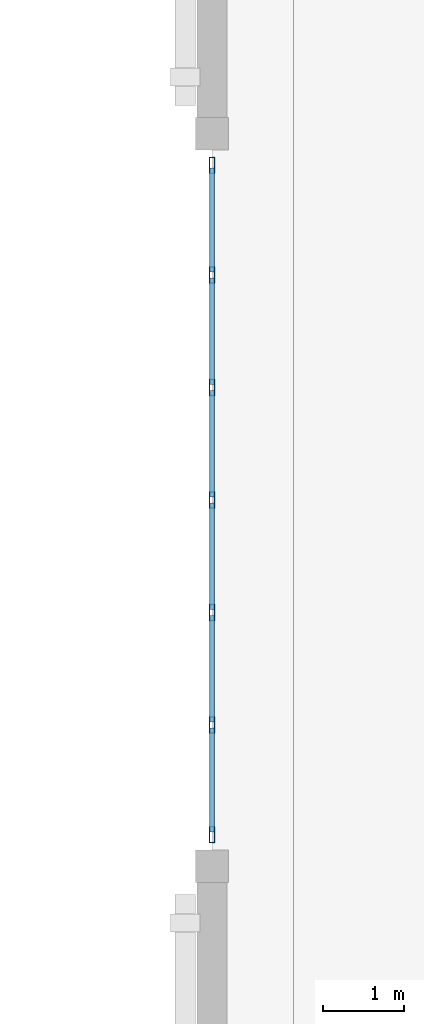
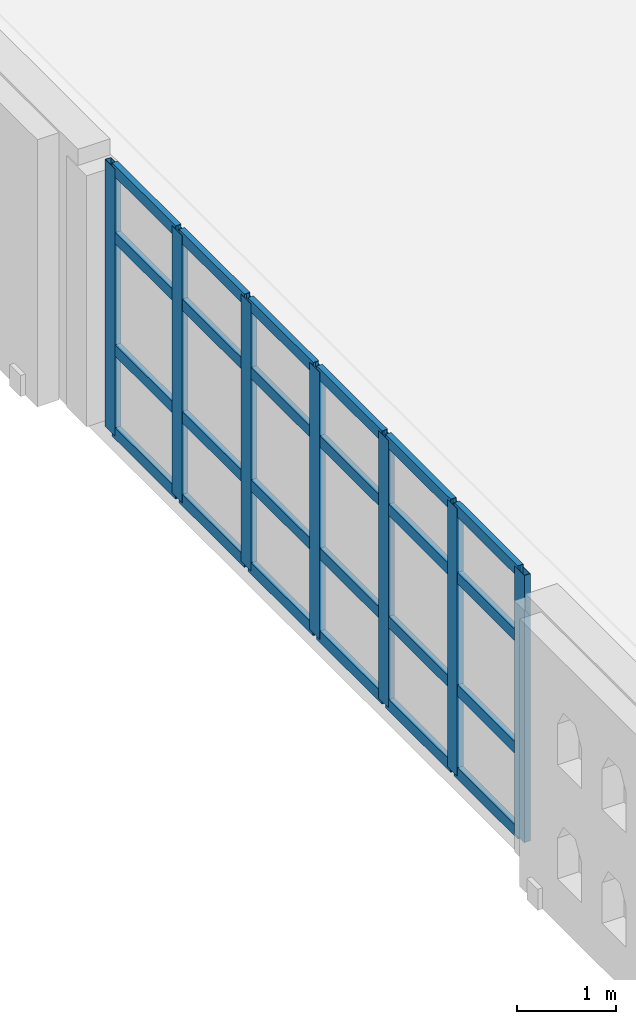
# One storey, part 7 of 30: 31 members, 1 element without a shape of its own.
"""IFC4 building model written with IfcOpenShell, lengths in metres."""

from ifc_helpers import new_model, si_unit, direction, frame, origin, origin_2d, place, context, subcontext, project, spatial, hollow_rectangle, extrude, material, layer, layer_set, material_profile, profile_set, type_object, element, aggregate, save


model = new_model("IFC4")

# Units and contexts
model_context = context("Model", 3, precision=1e-05, world=origin(), true_north=direction((0.0, 1.0)))
body_context = subcontext(model_context, "Body", "Model", "MODEL_VIEW")
ifc_project = project(units=[si_unit("LENGTHUNIT", "METRE"), si_unit("AREAUNIT", "SQUARE_METRE"), si_unit("VOLUMEUNIT", "CUBIC_METRE"), si_unit("PLANEANGLEUNIT", "RADIAN"), si_unit("MASSUNIT", "GRAM", prefix="KILO")], contexts=[model_context])

# Site, building, storey
site_placement = place(None, origin())
site = spatial("IfcSite", under=ifc_project, at=site_placement, CompositionType="ELEMENT")
building_placement = place(site_placement, origin())
building = spatial("IfcBuilding", under=site, at=building_placement, Name="Ornek Quay Market", CompositionType="ELEMENT")
storey_placement = place(building_placement, frame((0.0, 0.0, 12.0)))
storey = spatial("IfcBuildingStorey", under=building, at=storey_placement, Name="L03", CompositionType="ELEMENT", Elevation=12.0)

# Curtain wall, members
ifc_material_1 = material(Name="Anodised bronze aluminium and triple low-e glass", Category="aluminium")
ifc_layer = layer(ifc_material_1, 0.18994140625, Name="Anodised bronze aluminium and triple low-e glass", Category="aluminium")
ifc_layer_set = layer_set([ifc_layer], Name="Anodised bronze aluminium and triple low-e glass")
curtain_wall_type = type_object("IfcCurtainWallType", Name="CW-FC-MOD1500", PredefinedType="USERDEFINED", material=ifc_layer_set)
curtain_wall_placement = place(storey_placement, origin())
curtain_wall = element("IfcCurtainWall", 1, at=curtain_wall_placement, inside=storey, type_object=curtain_wall_type, Name="Curtain wall CW-095", ObjectType="CURTAIN WALL", PredefinedType="USERDEFINED")
ifc_material_2 = material(Name="Anodised aluminium 6063-T6", Category="aluminium")
ifc_material_profile_1 = material_profile(ifc_material_2, hollow_rectangle(XDim=0.070068359375, YDim=0.199951171875, WallThickness=0.0048828125, at=origin_2d()), Name="CW-MUL-70x200", Category="aluminium")
ifc_profile_set_1 = profile_set([ifc_material_profile_1], Name="Anodised aluminium 6063-T6")
member_type_1 = type_object("IfcMemberType", Name="CW-MUL-70x200", PredefinedType="MULLION", material=ifc_profile_set_1)
member_1_placement = place(storey_placement, frame((153.0, 47.385009765625, 0.0), z_axis=(0.0, 0.0, 1.0), x_axis=(-1.0, 0.0, 0.0)))
member_1 = element("IfcMember", 2, at=member_1_placement, type_object=member_type_1, Name="CW-095 mullion 1", PredefinedType="MULLION", context=body_context, shape_type="SweptSolid", body=[
    extrude(hollow_rectangle(XDim=0.070068359375, YDim=0.199951171875, WallThickness=0.0048828125, at=origin_2d()), origin(), (0.0, 0.0, 1.0), 3.280029296875),
])
member_2_placement = place(storey_placement, frame((153.0, 48.7333984375, 0.0), z_axis=(0.0, 0.0, 1.0), x_axis=(-1.0, 0.0, 0.0)))
member_2 = element("IfcMember", 3, at=member_2_placement, type_object=member_type_1, Name="CW-095 mullion 2", PredefinedType="MULLION", context=body_context, shape_type="SweptSolid", body=[
    extrude(hollow_rectangle(XDim=0.070068359375, YDim=0.199951171875, WallThickness=0.0048828125, at=origin_2d()), origin(), (0.0, 0.0, 1.0), 3.280029296875),
])
member_3_placement = place(storey_placement, frame((153.0, 50.11669921875, 0.0), z_axis=(0.0, 0.0, 1.0), x_axis=(-1.0, 0.0, 0.0)))
member_3 = element("IfcMember", 4, at=member_3_placement, type_object=member_type_1, Name="CW-095 mullion 3", PredefinedType="MULLION", context=body_context, shape_type="SweptSolid", body=[
    extrude(hollow_rectangle(XDim=0.070068359375, YDim=0.199951171875, WallThickness=0.0048828125, at=origin_2d()), origin(), (0.0, 0.0, 1.0), 3.280029296875),
])
member_4_placement = place(storey_placement, frame((153.0, 51.5, 0.0), z_axis=(0.0, 0.0, 1.0), x_axis=(-1.0, 0.0, 0.0)))
member_4 = element("IfcMember", 5, at=member_4_placement, type_object=member_type_1, Name="CW-095 mullion 4", PredefinedType="MULLION", context=body_context, shape_type="SweptSolid", body=[
    extrude(hollow_rectangle(XDim=0.070068359375, YDim=0.199951171875, WallThickness=0.0048828125, at=origin_2d()), origin(), (0.0, 0.0, 1.0), 3.280029296875),
])
member_5_placement = place(storey_placement, frame((153.0, 52.88330078125, 0.0), z_axis=(0.0, 0.0, 1.0), x_axis=(-1.0, 0.0, 0.0)))
member_5 = element("IfcMember", 6, at=member_5_placement, type_object=member_type_1, Name="CW-095 mullion 5", PredefinedType="MULLION", context=body_context, shape_type="SweptSolid", body=[
    extrude(hollow_rectangle(XDim=0.070068359375, YDim=0.199951171875, WallThickness=0.0048828125, at=origin_2d()), origin(), (0.0, 0.0, 1.0), 3.280029296875),
])
member_6_placement = place(storey_placement, frame((153.0, 54.2666015625, 0.0), z_axis=(0.0, 0.0, 1.0), x_axis=(-1.0, 0.0, 0.0)))
member_6 = element("IfcMember", 7, at=member_6_placement, type_object=member_type_1, Name="CW-095 mullion 6", PredefinedType="MULLION", context=body_context, shape_type="SweptSolid", body=[
    extrude(hollow_rectangle(XDim=0.070068359375, YDim=0.199951171875, WallThickness=0.0048828125, at=origin_2d()), origin(), (0.0, 0.0, 1.0), 3.280029296875),
])
member_7_placement = place(storey_placement, frame((153.0, 55.614990234375, 0.0), z_axis=(0.0, 0.0, 1.0), x_axis=(-1.0, 0.0, 0.0)))
member_7 = element("IfcMember", 8, at=member_7_placement, type_object=member_type_1, Name="CW-095 mullion 7", PredefinedType="MULLION", context=body_context, shape_type="SweptSolid", body=[
    extrude(hollow_rectangle(XDim=0.070068359375, YDim=0.199951171875, WallThickness=0.0048828125, at=origin_2d()), origin(), (0.0, 0.0, 1.0), 3.280029296875),
])
ifc_material_profile_2 = material_profile(ifc_material_2, hollow_rectangle(XDim=0.06494140625, YDim=0.139892578125, WallThickness=0.00439453125, at=origin_2d()), Name="CW-TRN-65x140", Category="aluminium")
ifc_profile_set_2 = profile_set([ifc_material_profile_2], Name="Anodised aluminium 6063-T6")
member_type_2 = type_object("IfcMemberType", Name="CW-TRN-65x140", PredefinedType="USERDEFINED", material=ifc_profile_set_2)
member_8_placement = place(storey_placement, frame((153.0, 47.419921875, 0.032470703125), z_axis=(0.0, 1.0, 0.0), x_axis=(-1.0, 0.0, 0.0)))
member_8 = element("IfcMember", 9, at=member_8_placement, type_object=member_type_2, Name="CW-095 transom 1.1", ObjectType="TRANSOM", PredefinedType="USERDEFINED", context=body_context, shape_type="SweptSolid", body=[
    extrude(hollow_rectangle(XDim=0.06494140625, YDim=0.139892578125, WallThickness=0.00439453125, at=origin_2d()), origin(), (0.0, 0.0, 1.0), 1.2783203125),
])
member_9_placement = place(storey_placement, frame((153.0, 47.419921875, 1.050048828125), z_axis=(0.0, 1.0, 0.0), x_axis=(-1.0, 0.0, 0.0)))
member_9 = element("IfcMember", 10, at=member_9_placement, type_object=member_type_2, Name="CW-095 transom 1.2", ObjectType="TRANSOM", PredefinedType="USERDEFINED", context=body_context, shape_type="SweptSolid", body=[
    extrude(hollow_rectangle(XDim=0.06494140625, YDim=0.139892578125, WallThickness=0.00439453125, at=origin_2d()), origin(), (0.0, 0.0, 1.0), 1.2783203125),
])
member_10_placement = place(storey_placement, frame((153.0, 47.419921875, 2.429931640625), z_axis=(0.0, 1.0, 0.0), x_axis=(-1.0, 0.0, 0.0)))
member_10 = element("IfcMember", 11, at=member_10_placement, type_object=member_type_2, Name="CW-095 transom 1.3", ObjectType="TRANSOM", PredefinedType="USERDEFINED", context=body_context, shape_type="SweptSolid", body=[
    extrude(hollow_rectangle(XDim=0.06494140625, YDim=0.139892578125, WallThickness=0.00439453125, at=origin_2d()), origin(), (0.0, 0.0, 1.0), 1.2783203125),
])
member_11_placement = place(storey_placement, frame((153.0, 47.419921875, 3.24755859375), z_axis=(0.0, 1.0, 0.0), x_axis=(-1.0, 0.0, 0.0)))
member_11 = element("IfcMember", 12, at=member_11_placement, type_object=member_type_2, Name="CW-095 transom 1.4", ObjectType="TRANSOM", PredefinedType="USERDEFINED", context=body_context, shape_type="SweptSolid", body=[
    extrude(hollow_rectangle(XDim=0.06494140625, YDim=0.139892578125, WallThickness=0.00439453125, at=origin_2d()), origin(), (0.0, 0.0, 1.0), 1.2783203125),
])
member_12_placement = place(storey_placement, frame((153.0, 48.768310546875, 0.032470703125), z_axis=(0.0, 1.0, 0.0), x_axis=(-1.0, 0.0, 0.0)))
member_12 = element("IfcMember", 13, at=member_12_placement, type_object=member_type_2, Name="CW-095 transom 2.1", ObjectType="TRANSOM", PredefinedType="USERDEFINED", context=body_context, shape_type="SweptSolid", body=[
    extrude(hollow_rectangle(XDim=0.06494140625, YDim=0.139892578125, WallThickness=0.00439453125, at=origin_2d()), origin(), (0.0, 0.0, 1.0), 1.3134765625),
])
member_13_placement = place(storey_placement, frame((153.0, 48.768310546875, 1.050048828125), z_axis=(0.0, 1.0, 0.0), x_axis=(-1.0, 0.0, 0.0)))
member_13 = element("IfcMember", 14, at=member_13_placement, type_object=member_type_2, Name="CW-095 transom 2.2", ObjectType="TRANSOM", PredefinedType="USERDEFINED", context=body_context, shape_type="SweptSolid", body=[
    extrude(hollow_rectangle(XDim=0.06494140625, YDim=0.139892578125, WallThickness=0.00439453125, at=origin_2d()), origin(), (0.0, 0.0, 1.0), 1.3134765625),
])
member_14_placement = place(storey_placement, frame((153.0, 48.768310546875, 2.429931640625), z_axis=(0.0, 1.0, 0.0), x_axis=(-1.0, 0.0, 0.0)))
member_14 = element("IfcMember", 15, at=member_14_placement, type_object=member_type_2, Name="CW-095 transom 2.3", ObjectType="TRANSOM", PredefinedType="USERDEFINED", context=body_context, shape_type="SweptSolid", body=[
    extrude(hollow_rectangle(XDim=0.06494140625, YDim=0.139892578125, WallThickness=0.00439453125, at=origin_2d()), origin(), (0.0, 0.0, 1.0), 1.3134765625),
])
member_15_placement = place(storey_placement, frame((153.0, 48.768310546875, 3.24755859375), z_axis=(0.0, 1.0, 0.0), x_axis=(-1.0, 0.0, 0.0)))
member_15 = element("IfcMember", 16, at=member_15_placement, type_object=member_type_2, Name="CW-095 transom 2.4", ObjectType="TRANSOM", PredefinedType="USERDEFINED", context=body_context, shape_type="SweptSolid", body=[
    extrude(hollow_rectangle(XDim=0.06494140625, YDim=0.139892578125, WallThickness=0.00439453125, at=origin_2d()), origin(), (0.0, 0.0, 1.0), 1.3134765625),
])
member_16_placement = place(storey_placement, frame((153.0, 50.151611328125, 0.032470703125), z_axis=(0.0, 1.0, 0.0), x_axis=(-1.0, 0.0, 0.0)))
member_16 = element("IfcMember", 17, at=member_16_placement, type_object=member_type_2, Name="CW-095 transom 3.1", ObjectType="TRANSOM", PredefinedType="USERDEFINED", context=body_context, shape_type="SweptSolid", body=[
    extrude(hollow_rectangle(XDim=0.06494140625, YDim=0.139892578125, WallThickness=0.00439453125, at=origin_2d()), origin(), (0.0, 0.0, 1.0), 1.3134765625),
])
member_17_placement = place(storey_placement, frame((153.0, 50.151611328125, 1.050048828125), z_axis=(0.0, 1.0, 0.0), x_axis=(-1.0, 0.0, 0.0)))
member_17 = element("IfcMember", 18, at=member_17_placement, type_object=member_type_2, Name="CW-095 transom 3.2", ObjectType="TRANSOM", PredefinedType="USERDEFINED", context=body_context, shape_type="SweptSolid", body=[
    extrude(hollow_rectangle(XDim=0.06494140625, YDim=0.139892578125, WallThickness=0.00439453125, at=origin_2d()), origin(), (0.0, 0.0, 1.0), 1.3134765625),
])
member_18_placement = place(storey_placement, frame((153.0, 50.151611328125, 2.429931640625), z_axis=(0.0, 1.0, 0.0), x_axis=(-1.0, 0.0, 0.0)))
member_18 = element("IfcMember", 19, at=member_18_placement, type_object=member_type_2, Name="CW-095 transom 3.3", ObjectType="TRANSOM", PredefinedType="USERDEFINED", context=body_context, shape_type="SweptSolid", body=[
    extrude(hollow_rectangle(XDim=0.06494140625, YDim=0.139892578125, WallThickness=0.00439453125, at=origin_2d()), origin(), (0.0, 0.0, 1.0), 1.3134765625),
])
member_19_placement = place(storey_placement, frame((153.0, 50.151611328125, 3.24755859375), z_axis=(0.0, 1.0, 0.0), x_axis=(-1.0, 0.0, 0.0)))
member_19 = element("IfcMember", 20, at=member_19_placement, type_object=member_type_2, Name="CW-095 transom 3.4", ObjectType="TRANSOM", PredefinedType="USERDEFINED", context=body_context, shape_type="SweptSolid", body=[
    extrude(hollow_rectangle(XDim=0.06494140625, YDim=0.139892578125, WallThickness=0.00439453125, at=origin_2d()), origin(), (0.0, 0.0, 1.0), 1.3134765625),
])
member_20_placement = place(storey_placement, frame((153.0, 51.534912109375, 0.032470703125), z_axis=(0.0, 1.0, 0.0), x_axis=(-1.0, 0.0, 0.0)))
member_20 = element("IfcMember", 21, at=member_20_placement, type_object=member_type_2, Name="CW-095 transom 4.1", ObjectType="TRANSOM", PredefinedType="USERDEFINED", context=body_context, shape_type="SweptSolid", body=[
    extrude(hollow_rectangle(XDim=0.06494140625, YDim=0.139892578125, WallThickness=0.00439453125, at=origin_2d()), origin(), (0.0, 0.0, 1.0), 1.3134765625),
])
member_21_placement = place(storey_placement, frame((153.0, 51.534912109375, 1.050048828125), z_axis=(0.0, 1.0, 0.0), x_axis=(-1.0, 0.0, 0.0)))
member_21 = element("IfcMember", 22, at=member_21_placement, type_object=member_type_2, Name="CW-095 transom 4.2", ObjectType="TRANSOM", PredefinedType="USERDEFINED", context=body_context, shape_type="SweptSolid", body=[
    extrude(hollow_rectangle(XDim=0.06494140625, YDim=0.139892578125, WallThickness=0.00439453125, at=origin_2d()), origin(), (0.0, 0.0, 1.0), 1.3134765625),
])
member_22_placement = place(storey_placement, frame((153.0, 51.534912109375, 2.429931640625), z_axis=(0.0, 1.0, 0.0), x_axis=(-1.0, 0.0, 0.0)))
member_22 = element("IfcMember", 23, at=member_22_placement, type_object=member_type_2, Name="CW-095 transom 4.3", ObjectType="TRANSOM", PredefinedType="USERDEFINED", context=body_context, shape_type="SweptSolid", body=[
    extrude(hollow_rectangle(XDim=0.06494140625, YDim=0.139892578125, WallThickness=0.00439453125, at=origin_2d()), origin(), (0.0, 0.0, 1.0), 1.3134765625),
])
member_23_placement = place(storey_placement, frame((153.0, 51.534912109375, 3.24755859375), z_axis=(0.0, 1.0, 0.0), x_axis=(-1.0, 0.0, 0.0)))
member_23 = element("IfcMember", 24, at=member_23_placement, type_object=member_type_2, Name="CW-095 transom 4.4", ObjectType="TRANSOM", PredefinedType="USERDEFINED", context=body_context, shape_type="SweptSolid", body=[
    extrude(hollow_rectangle(XDim=0.06494140625, YDim=0.139892578125, WallThickness=0.00439453125, at=origin_2d()), origin(), (0.0, 0.0, 1.0), 1.3134765625),
])
member_24_placement = place(storey_placement, frame((153.0, 52.918212890625, 0.032470703125), z_axis=(0.0, 1.0, 0.0), x_axis=(-1.0, 0.0, 0.0)))
member_24 = element("IfcMember", 25, at=member_24_placement, type_object=member_type_2, Name="CW-095 transom 5.1", ObjectType="TRANSOM", PredefinedType="USERDEFINED", context=body_context, shape_type="SweptSolid", body=[
    extrude(hollow_rectangle(XDim=0.06494140625, YDim=0.139892578125, WallThickness=0.00439453125, at=origin_2d()), origin(), (0.0, 0.0, 1.0), 1.3134765625),
])
member_25_placement = place(storey_placement, frame((153.0, 52.918212890625, 1.050048828125), z_axis=(0.0, 1.0, 0.0), x_axis=(-1.0, 0.0, 0.0)))
member_25 = element("IfcMember", 26, at=member_25_placement, type_object=member_type_2, Name="CW-095 transom 5.2", ObjectType="TRANSOM", PredefinedType="USERDEFINED", context=body_context, shape_type="SweptSolid", body=[
    extrude(hollow_rectangle(XDim=0.06494140625, YDim=0.139892578125, WallThickness=0.00439453125, at=origin_2d()), origin(), (0.0, 0.0, 1.0), 1.3134765625),
])
member_26_placement = place(storey_placement, frame((153.0, 52.918212890625, 2.429931640625), z_axis=(0.0, 1.0, 0.0), x_axis=(-1.0, 0.0, 0.0)))
member_26 = element("IfcMember", 27, at=member_26_placement, type_object=member_type_2, Name="CW-095 transom 5.3", ObjectType="TRANSOM", PredefinedType="USERDEFINED", context=body_context, shape_type="SweptSolid", body=[
    extrude(hollow_rectangle(XDim=0.06494140625, YDim=0.139892578125, WallThickness=0.00439453125, at=origin_2d()), origin(), (0.0, 0.0, 1.0), 1.3134765625),
])
member_27_placement = place(storey_placement, frame((153.0, 52.918212890625, 3.24755859375), z_axis=(0.0, 1.0, 0.0), x_axis=(-1.0, 0.0, 0.0)))
member_27 = element("IfcMember", 28, at=member_27_placement, type_object=member_type_2, Name="CW-095 transom 5.4", ObjectType="TRANSOM", PredefinedType="USERDEFINED", context=body_context, shape_type="SweptSolid", body=[
    extrude(hollow_rectangle(XDim=0.06494140625, YDim=0.139892578125, WallThickness=0.00439453125, at=origin_2d()), origin(), (0.0, 0.0, 1.0), 1.3134765625),
])
member_28_placement = place(storey_placement, frame((153.0, 54.3017578125, 0.032470703125), z_axis=(0.0, 1.0, 0.0), x_axis=(-1.0, 0.0, 0.0)))
member_28 = element("IfcMember", 29, at=member_28_placement, type_object=member_type_2, Name="CW-095 transom 6.1", ObjectType="TRANSOM", PredefinedType="USERDEFINED", context=body_context, shape_type="SweptSolid", body=[
    extrude(hollow_rectangle(XDim=0.06494140625, YDim=0.139892578125, WallThickness=0.00439453125, at=origin_2d()), origin(), (0.0, 0.0, 1.0), 1.2783203125),
])
member_29_placement = place(storey_placement, frame((153.0, 54.3017578125, 1.050048828125), z_axis=(0.0, 1.0, 0.0), x_axis=(-1.0, 0.0, 0.0)))
member_29 = element("IfcMember", 30, at=member_29_placement, type_object=member_type_2, Name="CW-095 transom 6.2", ObjectType="TRANSOM", PredefinedType="USERDEFINED", context=body_context, shape_type="SweptSolid", body=[
    extrude(hollow_rectangle(XDim=0.06494140625, YDim=0.139892578125, WallThickness=0.00439453125, at=origin_2d()), origin(), (0.0, 0.0, 1.0), 1.2783203125),
])
member_30_placement = place(storey_placement, frame((153.0, 54.3017578125, 2.429931640625), z_axis=(0.0, 1.0, 0.0), x_axis=(-1.0, 0.0, 0.0)))
member_30 = element("IfcMember", 31, at=member_30_placement, type_object=member_type_2, Name="CW-095 transom 6.3", ObjectType="TRANSOM", PredefinedType="USERDEFINED", context=body_context, shape_type="SweptSolid", body=[
    extrude(hollow_rectangle(XDim=0.06494140625, YDim=0.139892578125, WallThickness=0.00439453125, at=origin_2d()), origin(), (0.0, 0.0, 1.0), 1.2783203125),
])
member_31_placement = place(storey_placement, frame((153.0, 54.3017578125, 3.24755859375), z_axis=(0.0, 1.0, 0.0), x_axis=(-1.0, 0.0, 0.0)))
member_31 = element("IfcMember", 32, at=member_31_placement, type_object=member_type_2, Name="CW-095 transom 6.4", ObjectType="TRANSOM", PredefinedType="USERDEFINED", context=body_context, shape_type="SweptSolid", body=[
    extrude(hollow_rectangle(XDim=0.06494140625, YDim=0.139892578125, WallThickness=0.00439453125, at=origin_2d()), origin(), (0.0, 0.0, 1.0), 1.2783203125),
])
aggregate(curtain_wall, [member_1, member_2, member_3, member_4, member_5, member_6, member_7, member_8, member_9, member_10, member_11, member_12, member_13, member_14, member_15, member_16, member_17, member_18, member_19, member_20, member_21, member_22, member_23, member_24, member_25, member_26, member_27, member_28, member_29, member_30, member_31])

save(model, "model.ifc")
